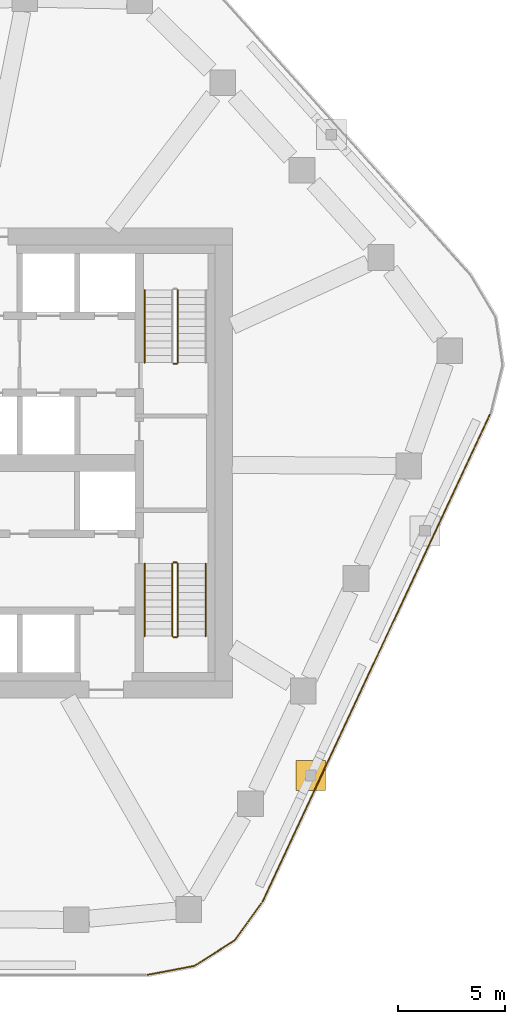
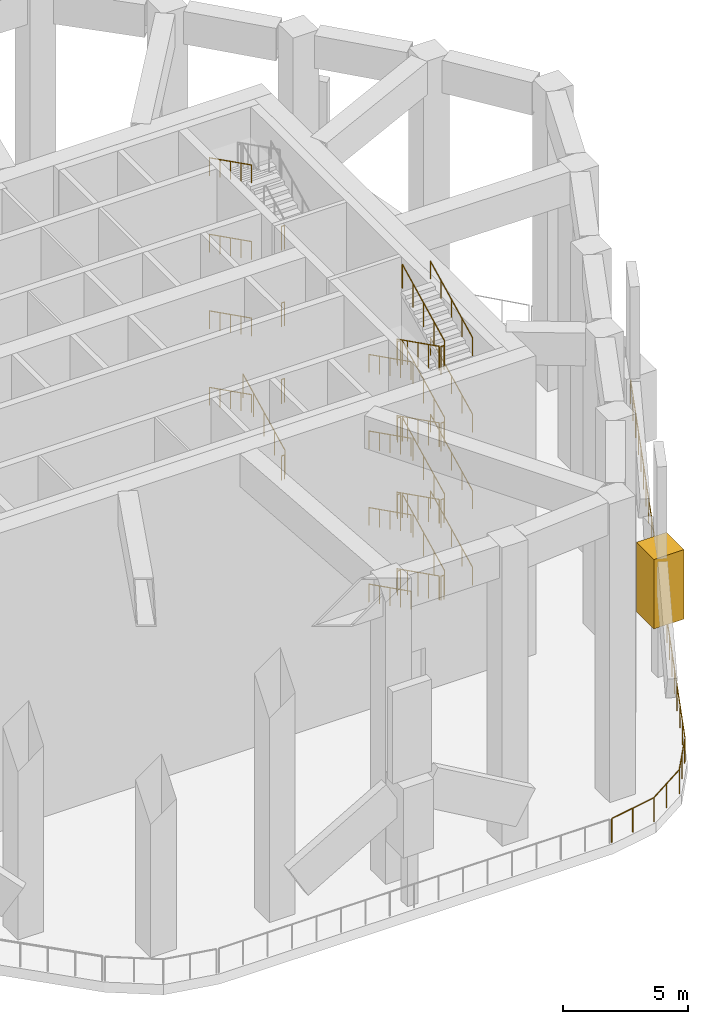
# One storey, part 9 of 12: 35 railings, 1 covering.
"""IFC4 building model written with IfcOpenShell, lengths in metres."""

from ifc_helpers import new_model, si_unit, direction, frame, origin, origin_2d, place, context, subcontext, project, spatial, rectangle, circle, extrude, material, material_profile, profile_set, type_object, element, save


model = new_model("IFC4")

# Units and contexts
model_context = context("Model", 3, precision=1e-05, world=origin(), true_north=direction((0.0, 1.0)))
body_context = subcontext(model_context, "Body", "Model", "MODEL_VIEW")
ifc_project = project(units=[si_unit("LENGTHUNIT", "METRE"), si_unit("AREAUNIT", "SQUARE_METRE"), si_unit("VOLUMEUNIT", "CUBIC_METRE"), si_unit("PLANEANGLEUNIT", "RADIAN"), si_unit("MASSUNIT", "GRAM", prefix="KILO")], contexts=[model_context])

# Site, building, storey
site_placement = place(None, origin())
site = spatial("IfcSite", under=ifc_project, at=site_placement, CompositionType="ELEMENT")
building_placement = place(site_placement, origin())
building = spatial("IfcBuilding", under=site, at=building_placement, Name="Dongbaek Canopy Tower", CompositionType="ELEMENT")
storey_placement = place(building_placement, frame((0.0, 0.0, 183.800048828125)))
storey = spatial("IfcBuildingStorey", under=building, at=storey_placement, Name="L40", CompositionType="ELEMENT", Elevation=183.800048828125)

# Railings
ifc_material_1 = material(Name="Stainless steel", Category="steel")
railing_type_1 = type_object("IfcRailingType", Name="Slot guard 1200", PredefinedType="GUARDRAIL", material=ifc_material_1)
railing_1_placement = place(storey_placement, frame((10.048583984375, -23.94091796875, 0.0)))
element("IfcRailing", 1, at=railing_1_placement, inside=storey, type_object=railing_type_1, Name="Slot guard L40 K5", PredefinedType="GUARDRAIL", context=body_context, shape_type="SweptSolid", body=[
    extrude(circle(Radius=0.02392578125, at=origin_2d()), frame((0.0, 0.0, 1.17578125), z_axis=(0.982275186739, 0.187444545176, 0.0), x_axis=(-0.187444545176, 0.982275186739, 0.0)), (0.0, 0.0, 1.0), 2.227294921875),
    extrude(circle(Radius=0.02392578125, at=origin_2d()), frame((2.187744140625, 0.41748046875, 1.17578125), z_axis=(0.843684154301, 0.536839871639, 0.0), x_axis=(-0.536839871639, 0.843684154301, 0.0)), (0.0, 0.0, 1.0), 2.217529296875),
    extrude(circle(Radius=0.02392578125, at=origin_2d()), frame((4.05859375, 1.60791015625, 1.17578125), z_axis=(0.585767076239, 0.810479446003, 0.0), x_axis=(-0.810479446003, 0.585767076239, 0.0)), (0.0, 0.0, 1.0), 2.127197265625),
    extrude(circle(Radius=0.02099609375, at=origin_2d()), origin(), (0.0, 0.0, 1.0), 1.15185546875),
    extrude(circle(Radius=0.02099609375, at=origin_2d()), frame((1.09375, 0.208740234375, 0.0)), (0.0, 0.0, 1.0), 1.15185546875),
    extrude(circle(Radius=0.02099609375, at=origin_2d()), frame((2.187744140625, 0.41748046875, 0.0)), (0.0, 0.0, 1.0), 1.15185546875),
    extrude(circle(Radius=0.02099609375, at=origin_2d()), frame((3.123046875, 1.0126953125, 0.0)), (0.0, 0.0, 1.0), 1.15185546875),
    extrude(circle(Radius=0.02099609375, at=origin_2d()), frame((4.05859375, 1.60791015625, 0.0)), (0.0, 0.0, 1.0), 1.15185546875),
    extrude(circle(Radius=0.02099609375, at=origin_2d()), frame((4.681640625, 2.469970703125, 0.0)), (0.0, 0.0, 1.0), 1.15185546875),
    extrude(circle(Radius=0.02099609375, at=origin_2d()), frame((5.3046875, 3.33203125, 0.0)), (0.0, 0.0, 1.0), 1.15185546875),
])
railing_2_placement = place(storey_placement, frame((15.411865234375, -20.52783203125, 0.0)))
element("IfcRailing", 2, at=railing_2_placement, inside=storey, type_object=railing_type_1, Name="Slot guard L40 F5", PredefinedType="GUARDRAIL", context=body_context, shape_type="SweptSolid", body=[
    extrude(circle(Radius=0.02392578125, at=origin_2d()), frame((0.0, 0.0, 1.17578125), z_axis=(0.422982147504, 0.906138015367, 0.0), x_axis=(-0.906138015367, 0.422982147504, 0.0)), (0.0, 0.0, 1.0), 25.1591796875),
    extrude(circle(Radius=0.02099609375, at=origin_2d()), origin(), (0.0, 0.0, 1.0), 1.15185546875),
    extrude(circle(Radius=0.02099609375, at=origin_2d()), frame((0.5068359375, 1.085693359375, 0.0)), (0.0, 0.0, 1.0), 1.15185546875),
    extrude(circle(Radius=0.02099609375, at=origin_2d()), frame((1.013427734375, 2.171142578125, 0.0)), (0.0, 0.0, 1.0), 1.15185546875),
    extrude(circle(Radius=0.02099609375, at=origin_2d()), frame((1.520263671875, 3.2568359375, 0.0)), (0.0, 0.0, 1.0), 1.15185546875),
    extrude(circle(Radius=0.02099609375, at=origin_2d()), frame((2.027099609375, 4.34228515625, 0.0)), (0.0, 0.0, 1.0), 1.15185546875),
    extrude(circle(Radius=0.02099609375, at=origin_2d()), frame((2.53369140625, 5.427978515625, 0.0)), (0.0, 0.0, 1.0), 1.15185546875),
    extrude(circle(Radius=0.02099609375, at=origin_2d()), frame((3.04052734375, 6.513671875, 0.0)), (0.0, 0.0, 1.0), 1.15185546875),
    extrude(circle(Radius=0.02099609375, at=origin_2d()), frame((3.54736328125, 7.59912109375, 0.0)), (0.0, 0.0, 1.0), 1.15185546875),
    extrude(circle(Radius=0.02099609375, at=origin_2d()), frame((4.053955078125, 8.684814453125, 0.0)), (0.0, 0.0, 1.0), 1.15185546875),
    extrude(circle(Radius=0.02099609375, at=origin_2d()), frame((4.560791015625, 9.7705078125, 0.0)), (0.0, 0.0, 1.0), 1.15185546875),
    extrude(circle(Radius=0.02099609375, at=origin_2d()), frame((5.067626953125, 10.85595703125, 0.0)), (0.0, 0.0, 1.0), 1.15185546875),
    extrude(circle(Radius=0.02099609375, at=origin_2d()), frame((5.57421875, 11.941650390625, 0.0)), (0.0, 0.0, 1.0), 1.15185546875),
    extrude(circle(Radius=0.02099609375, at=origin_2d()), frame((6.0810546875, 13.027099609375, 0.0)), (0.0, 0.0, 1.0), 1.15185546875),
    extrude(circle(Radius=0.02099609375, at=origin_2d()), frame((6.587890625, 14.11279296875, 0.0)), (0.0, 0.0, 1.0), 1.15185546875),
    extrude(circle(Radius=0.02099609375, at=origin_2d()), frame((7.094482421875, 15.198486328125, 0.0)), (0.0, 0.0, 1.0), 1.15185546875),
    extrude(circle(Radius=0.02099609375, at=origin_2d()), frame((7.601318359375, 16.283935546875, 0.0)), (0.0, 0.0, 1.0), 1.15185546875),
    extrude(circle(Radius=0.02099609375, at=origin_2d()), frame((8.108154296875, 17.36962890625, 0.0)), (0.0, 0.0, 1.0), 1.15185546875),
    extrude(circle(Radius=0.02099609375, at=origin_2d()), frame((8.61474609375, 18.455322265625, 0.0)), (0.0, 0.0, 1.0), 1.15185546875),
    extrude(circle(Radius=0.02099609375, at=origin_2d()), frame((9.12158203125, 19.540771484375, 0.0)), (0.0, 0.0, 1.0), 1.15185546875),
    extrude(circle(Radius=0.02099609375, at=origin_2d()), frame((9.62841796875, 20.62646484375, 0.0)), (0.0, 0.0, 1.0), 1.15185546875),
    extrude(circle(Radius=0.02099609375, at=origin_2d()), frame((10.135009765625, 21.7119140625, 0.0)), (0.0, 0.0, 1.0), 1.15185546875),
    extrude(circle(Radius=0.02099609375, at=origin_2d()), frame((10.641845703125, 22.797607421875, 0.0)), (0.0, 0.0, 1.0), 1.15185546875),
])
ifc_material_2 = material(Name="Stainless steel tube and balusters", Category="steel")
railing_type_2 = type_object("IfcRailingType", Name="Stair guard 1200", PredefinedType="GUARDRAIL", material=ifc_material_2)
railing_3_placement = place(storey_placement, frame((11.449951171875, 4.699951171875, 0.17041015625)))
element("IfcRailing", 3, at=railing_3_placement, inside=storey, type_object=railing_type_2, Name="L40 ST-A stair guard 1", PredefinedType="GUARDRAIL", context=body_context, shape_type="SweptSolid", body=[
    extrude(circle(Radius=0.02392578125, at=origin_2d()), frame((0.0, 0.0, 1.17578125), z_axis=(0.0, 0.893951692422, 0.448163331406), x_axis=(-1.0, 0.0, 0.0)), (0.0, 0.0, 1.0), 3.803466796875),
    extrude(circle(Radius=0.02099609375, at=origin_2d()), origin(), (0.0, 0.0, 1.0), 1.15185546875),
    extrude(circle(Radius=0.02099609375, at=origin_2d()), frame((0.0, 0.85009765625, 0.42626953125)), (0.0, 0.0, 1.0), 1.15185546875),
    extrude(circle(Radius=0.02099609375, at=origin_2d()), frame((0.0, 1.7001953125, 0.852294921875)), (0.0, 0.0, 1.0), 1.15185546875),
    extrude(circle(Radius=0.02099609375, at=origin_2d()), frame((0.0, 2.550048828125, 1.2783203125)), (0.0, 0.0, 1.0), 1.15185546875),
    extrude(circle(Radius=0.02099609375, at=origin_2d()), frame((0.0, 3.400146484375, 1.70458984375)), (0.0, 0.0, 1.0), 1.15185546875),
])
for number, where, name in (
    (4, (11.39990234375, 4.64990234375, 3.75), "L40 ST-A stair guard 4"),
    (5, (11.39990234375, 4.64990234375, 7.5), "L40 ST-A stair guard 8"),
    (6, (11.39990234375, 4.64990234375, 11.25), "L40 ST-A stair guard 12"),
    (7, (11.39990234375, 4.64990234375, 0.0), "L40 ST-A stair guard 16"),
):
    element("IfcRailing", number, at=place(storey_placement, frame(where)), inside=storey, type_object=railing_type_2, Name=name, PredefinedType="GUARDRAIL", context=body_context, shape_type="SweptSolid", body=[
        extrude(circle(Radius=0.02392578125, at=origin_2d()), frame((0.0, 0.0, 1.17578125), z_axis=(-1.0, 0.0, 0.0), x_axis=(0.0, -1.0, 0.0)), (0.0, 0.0, 1.0), 0.14990234375),
        extrude(circle(Radius=0.02099609375, at=origin_2d()), origin(), (0.0, 0.0, 1.0), 1.15185546875),
        extrude(circle(Radius=0.02099609375, at=origin_2d()), frame((-0.14990234375, 0.0, 0.0)), (0.0, 0.0, 1.0), 1.15185546875),
    ])
railing_4_placement = place(storey_placement, frame((11.199951171875, -4.699951171875, 0.17041015625)))
element("IfcRailing", 8, at=railing_4_placement, inside=storey, type_object=railing_type_2, Name="L40 ST-B stair guard 1", PredefinedType="GUARDRAIL", context=body_context, shape_type="SweptSolid", body=[
    extrude(circle(Radius=0.02392578125, at=origin_2d()), frame((0.0, 0.0, 1.17578125), z_axis=(0.0, -0.893951692422, 0.448163331406), x_axis=(1.0, 0.0, 0.0)), (0.0, 0.0, 1.0), 3.803466796875),
    extrude(circle(Radius=0.02099609375, at=origin_2d()), origin(), (0.0, 0.0, 1.0), 1.15185546875),
    extrude(circle(Radius=0.02099609375, at=origin_2d()), frame((0.0, -0.85009765625, 0.42626953125)), (0.0, 0.0, 1.0), 1.15185546875),
    extrude(circle(Radius=0.02099609375, at=origin_2d()), frame((0.0, -1.7001953125, 0.852294921875)), (0.0, 0.0, 1.0), 1.15185546875),
    extrude(circle(Radius=0.02099609375, at=origin_2d()), frame((0.0, -2.550048828125, 1.2783203125)), (0.0, 0.0, 1.0), 1.15185546875),
    extrude(circle(Radius=0.02099609375, at=origin_2d()), frame((0.0, -3.400146484375, 1.70458984375)), (0.0, 0.0, 1.0), 1.15185546875),
])
railing_5_placement = place(storey_placement, frame((11.25, -8.14990234375, 1.875)))
element("IfcRailing", 9, at=railing_5_placement, inside=storey, type_object=railing_type_2, Name="L40 ST-B stair guard 2", PredefinedType="GUARDRAIL", context=body_context, shape_type="SweptSolid", body=[
    extrude(circle(Radius=0.02392578125, at=origin_2d()), frame((0.0, 0.0, 1.17578125), z_axis=(1.0, 0.0, 0.0), x_axis=(0.0, 1.0, 0.0)), (0.0, 0.0, 1.0), 0.14990234375),
    extrude(circle(Radius=0.02099609375, at=origin_2d()), origin(), (0.0, 0.0, 1.0), 1.15185546875),
    extrude(circle(Radius=0.02099609375, at=origin_2d()), frame((0.14990234375, 0.0, 0.0)), (0.0, 0.0, 1.0), 1.15185546875),
])
railing_6_placement = place(storey_placement, frame((11.449951171875, -8.10009765625, 2.04541015625)))
element("IfcRailing", 10, at=railing_6_placement, inside=storey, type_object=railing_type_2, Name="L40 ST-B stair guard 3", PredefinedType="GUARDRAIL", context=body_context, shape_type="SweptSolid", body=[
    extrude(circle(Radius=0.02392578125, at=origin_2d()), frame((0.0, 0.0, 1.17578125), z_axis=(0.0, 0.893951692422, 0.448163331406), x_axis=(-1.0, 0.0, 0.0)), (0.0, 0.0, 1.0), 3.803466796875),
    extrude(circle(Radius=0.02099609375, at=origin_2d()), origin(), (0.0, 0.0, 1.0), 1.15185546875),
    extrude(circle(Radius=0.02099609375, at=origin_2d()), frame((0.0, 0.85009765625, 0.42626953125)), (0.0, 0.0, 1.0), 1.15185546875),
    extrude(circle(Radius=0.02099609375, at=origin_2d()), frame((0.0, 1.7001953125, 0.852294921875)), (0.0, 0.0, 1.0), 1.15185546875),
    extrude(circle(Radius=0.02099609375, at=origin_2d()), frame((0.0, 2.550048828125, 1.2783203125)), (0.0, 0.0, 1.0), 1.15185546875),
    extrude(circle(Radius=0.02099609375, at=origin_2d()), frame((0.0, 3.400146484375, 1.70458984375)), (0.0, 0.0, 1.0), 1.15185546875),
])
railing_7_placement = place(storey_placement, frame((11.25, -4.64990234375, 3.75)))
element("IfcRailing", 11, at=railing_7_placement, inside=storey, type_object=railing_type_2, Name="L40 ST-B stair guard 4", PredefinedType="GUARDRAIL", context=body_context, shape_type="SweptSolid", body=[
    extrude(circle(Radius=0.02392578125, at=origin_2d()), frame((0.0, 0.0, 1.17578125), z_axis=(1.0, 0.0, 0.0), x_axis=(0.0, 1.0, 0.0)), (0.0, 0.0, 1.0), 0.14990234375),
    extrude(circle(Radius=0.02099609375, at=origin_2d()), origin(), (0.0, 0.0, 1.0), 1.15185546875),
    extrude(circle(Radius=0.02099609375, at=origin_2d()), frame((0.14990234375, 0.0, 0.0)), (0.0, 0.0, 1.0), 1.15185546875),
])
railing_8_placement = place(storey_placement, frame((11.199951171875, -4.699951171875, 3.92041015625)))
element("IfcRailing", 12, at=railing_8_placement, inside=storey, type_object=railing_type_2, Name="L40 ST-B stair guard 5", PredefinedType="GUARDRAIL", context=body_context, shape_type="SweptSolid", body=[
    extrude(circle(Radius=0.02392578125, at=origin_2d()), frame((0.0, 0.0, 1.17578125), z_axis=(0.0, -0.893951692422, 0.448163331406), x_axis=(1.0, 0.0, 0.0)), (0.0, 0.0, 1.0), 3.803466796875),
    extrude(circle(Radius=0.02099609375, at=origin_2d()), origin(), (0.0, 0.0, 1.0), 1.15185546875),
    extrude(circle(Radius=0.02099609375, at=origin_2d()), frame((0.0, -0.85009765625, 0.42626953125)), (0.0, 0.0, 1.0), 1.15185546875),
    extrude(circle(Radius=0.02099609375, at=origin_2d()), frame((0.0, -1.7001953125, 0.852294921875)), (0.0, 0.0, 1.0), 1.15185546875),
    extrude(circle(Radius=0.02099609375, at=origin_2d()), frame((0.0, -2.550048828125, 1.2783203125)), (0.0, 0.0, 1.0), 1.15185546875),
    extrude(circle(Radius=0.02099609375, at=origin_2d()), frame((0.0, -3.400146484375, 1.70458984375)), (0.0, 0.0, 1.0), 1.15185546875),
])
railing_9_placement = place(storey_placement, frame((11.25, -8.14990234375, 5.625)))
element("IfcRailing", 13, at=railing_9_placement, inside=storey, type_object=railing_type_2, Name="L40 ST-B stair guard 6", PredefinedType="GUARDRAIL", context=body_context, shape_type="SweptSolid", body=[
    extrude(circle(Radius=0.02392578125, at=origin_2d()), frame((0.0, 0.0, 1.17578125), z_axis=(1.0, 0.0, 0.0), x_axis=(0.0, 1.0, 0.0)), (0.0, 0.0, 1.0), 0.14990234375),
    extrude(circle(Radius=0.02099609375, at=origin_2d()), origin(), (0.0, 0.0, 1.0), 1.15185546875),
    extrude(circle(Radius=0.02099609375, at=origin_2d()), frame((0.14990234375, 0.0, 0.0)), (0.0, 0.0, 1.0), 1.15185546875),
])
railing_10_placement = place(storey_placement, frame((11.449951171875, -8.10009765625, 5.79541015625)))
element("IfcRailing", 14, at=railing_10_placement, inside=storey, type_object=railing_type_2, Name="L40 ST-B stair guard 7", PredefinedType="GUARDRAIL", context=body_context, shape_type="SweptSolid", body=[
    extrude(circle(Radius=0.02392578125, at=origin_2d()), frame((0.0, 0.0, 1.17578125), z_axis=(0.0, 0.893951692422, 0.448163331406), x_axis=(-1.0, 0.0, 0.0)), (0.0, 0.0, 1.0), 3.803466796875),
    extrude(circle(Radius=0.02099609375, at=origin_2d()), origin(), (0.0, 0.0, 1.0), 1.15185546875),
    extrude(circle(Radius=0.02099609375, at=origin_2d()), frame((0.0, 0.85009765625, 0.42626953125)), (0.0, 0.0, 1.0), 1.15185546875),
    extrude(circle(Radius=0.02099609375, at=origin_2d()), frame((0.0, 1.7001953125, 0.852294921875)), (0.0, 0.0, 1.0), 1.15185546875),
    extrude(circle(Radius=0.02099609375, at=origin_2d()), frame((0.0, 2.550048828125, 1.2783203125)), (0.0, 0.0, 1.0), 1.15185546875),
    extrude(circle(Radius=0.02099609375, at=origin_2d()), frame((0.0, 3.400146484375, 1.70458984375)), (0.0, 0.0, 1.0), 1.15185546875),
])
railing_11_placement = place(storey_placement, frame((11.25, -4.64990234375, 7.5)))
element("IfcRailing", 15, at=railing_11_placement, inside=storey, type_object=railing_type_2, Name="L40 ST-B stair guard 8", PredefinedType="GUARDRAIL", context=body_context, shape_type="SweptSolid", body=[
    extrude(circle(Radius=0.02392578125, at=origin_2d()), frame((0.0, 0.0, 1.17578125), z_axis=(1.0, 0.0, 0.0), x_axis=(0.0, 1.0, 0.0)), (0.0, 0.0, 1.0), 0.14990234375),
    extrude(circle(Radius=0.02099609375, at=origin_2d()), origin(), (0.0, 0.0, 1.0), 1.15185546875),
    extrude(circle(Radius=0.02099609375, at=origin_2d()), frame((0.14990234375, 0.0, 0.0)), (0.0, 0.0, 1.0), 1.15185546875),
])
railing_12_placement = place(storey_placement, frame((11.199951171875, -4.699951171875, 7.67041015625)))
element("IfcRailing", 16, at=railing_12_placement, inside=storey, type_object=railing_type_2, Name="L40 ST-B stair guard 9", PredefinedType="GUARDRAIL", context=body_context, shape_type="SweptSolid", body=[
    extrude(circle(Radius=0.02392578125, at=origin_2d()), frame((0.0, 0.0, 1.17578125), z_axis=(0.0, -0.893951692422, 0.448163331406), x_axis=(1.0, 0.0, 0.0)), (0.0, 0.0, 1.0), 3.803466796875),
    extrude(circle(Radius=0.02099609375, at=origin_2d()), origin(), (0.0, 0.0, 1.0), 1.15185546875),
    extrude(circle(Radius=0.02099609375, at=origin_2d()), frame((0.0, -0.85009765625, 0.42626953125)), (0.0, 0.0, 1.0), 1.15185546875),
    extrude(circle(Radius=0.02099609375, at=origin_2d()), frame((0.0, -1.7001953125, 0.852294921875)), (0.0, 0.0, 1.0), 1.15185546875),
    extrude(circle(Radius=0.02099609375, at=origin_2d()), frame((0.0, -2.550048828125, 1.2783203125)), (0.0, 0.0, 1.0), 1.15185546875),
    extrude(circle(Radius=0.02099609375, at=origin_2d()), frame((0.0, -3.400146484375, 1.70458984375)), (0.0, 0.0, 1.0), 1.15185546875),
])
railing_13_placement = place(storey_placement, frame((11.25, -8.14990234375, 9.375)))
element("IfcRailing", 17, at=railing_13_placement, inside=storey, type_object=railing_type_2, Name="L40 ST-B stair guard 10", PredefinedType="GUARDRAIL", context=body_context, shape_type="SweptSolid", body=[
    extrude(circle(Radius=0.02392578125, at=origin_2d()), frame((0.0, 0.0, 1.17578125), z_axis=(1.0, 0.0, 0.0), x_axis=(0.0, 1.0, 0.0)), (0.0, 0.0, 1.0), 0.14990234375),
    extrude(circle(Radius=0.02099609375, at=origin_2d()), origin(), (0.0, 0.0, 1.0), 1.15185546875),
    extrude(circle(Radius=0.02099609375, at=origin_2d()), frame((0.14990234375, 0.0, 0.0)), (0.0, 0.0, 1.0), 1.15185546875),
])
railing_14_placement = place(storey_placement, frame((11.449951171875, -8.10009765625, 9.54541015625)))
element("IfcRailing", 18, at=railing_14_placement, inside=storey, type_object=railing_type_2, Name="L40 ST-B stair guard 11", PredefinedType="GUARDRAIL", context=body_context, shape_type="SweptSolid", body=[
    extrude(circle(Radius=0.02392578125, at=origin_2d()), frame((0.0, 0.0, 1.17578125), z_axis=(0.0, 0.893951692422, 0.448163331406), x_axis=(-1.0, 0.0, 0.0)), (0.0, 0.0, 1.0), 3.803466796875),
    extrude(circle(Radius=0.02099609375, at=origin_2d()), origin(), (0.0, 0.0, 1.0), 1.15185546875),
    extrude(circle(Radius=0.02099609375, at=origin_2d()), frame((0.0, 0.85009765625, 0.42626953125)), (0.0, 0.0, 1.0), 1.15185546875),
    extrude(circle(Radius=0.02099609375, at=origin_2d()), frame((0.0, 1.7001953125, 0.852294921875)), (0.0, 0.0, 1.0), 1.15185546875),
    extrude(circle(Radius=0.02099609375, at=origin_2d()), frame((0.0, 2.550048828125, 1.2783203125)), (0.0, 0.0, 1.0), 1.15185546875),
    extrude(circle(Radius=0.02099609375, at=origin_2d()), frame((0.0, 3.400146484375, 1.70458984375)), (0.0, 0.0, 1.0), 1.15185546875),
])
railing_15_placement = place(storey_placement, frame((11.25, -4.64990234375, 11.25)))
element("IfcRailing", 19, at=railing_15_placement, inside=storey, type_object=railing_type_2, Name="L40 ST-B stair guard 12", PredefinedType="GUARDRAIL", context=body_context, shape_type="SweptSolid", body=[
    extrude(circle(Radius=0.02392578125, at=origin_2d()), frame((0.0, 0.0, 1.17578125), z_axis=(1.0, 0.0, 0.0), x_axis=(0.0, 1.0, 0.0)), (0.0, 0.0, 1.0), 0.14990234375),
    extrude(circle(Radius=0.02099609375, at=origin_2d()), origin(), (0.0, 0.0, 1.0), 1.15185546875),
    extrude(circle(Radius=0.02099609375, at=origin_2d()), frame((0.14990234375, 0.0, 0.0)), (0.0, 0.0, 1.0), 1.15185546875),
])
railing_16_placement = place(storey_placement, frame((11.199951171875, -4.699951171875, 11.42041015625)))
element("IfcRailing", 20, at=railing_16_placement, inside=storey, type_object=railing_type_2, Name="L40 ST-B stair guard 13", PredefinedType="GUARDRAIL", context=body_context, shape_type="SweptSolid", body=[
    extrude(circle(Radius=0.02392578125, at=origin_2d()), frame((0.0, 0.0, 1.17578125), z_axis=(0.0, -0.893951692422, 0.448163331406), x_axis=(1.0, 0.0, 0.0)), (0.0, 0.0, 1.0), 3.803466796875),
    extrude(circle(Radius=0.02099609375, at=origin_2d()), origin(), (0.0, 0.0, 1.0), 1.15185546875),
    extrude(circle(Radius=0.02099609375, at=origin_2d()), frame((0.0, -0.85009765625, 0.42626953125)), (0.0, 0.0, 1.0), 1.15185546875),
    extrude(circle(Radius=0.02099609375, at=origin_2d()), frame((0.0, -1.7001953125, 0.852294921875)), (0.0, 0.0, 1.0), 1.15185546875),
    extrude(circle(Radius=0.02099609375, at=origin_2d()), frame((0.0, -2.550048828125, 1.2783203125)), (0.0, 0.0, 1.0), 1.15185546875),
    extrude(circle(Radius=0.02099609375, at=origin_2d()), frame((0.0, -3.400146484375, 1.70458984375)), (0.0, 0.0, 1.0), 1.15185546875),
])
railing_17_placement = place(storey_placement, frame((11.25, -8.14990234375, 13.125)))
element("IfcRailing", 21, at=railing_17_placement, inside=storey, type_object=railing_type_2, Name="L40 ST-B stair guard 14", PredefinedType="GUARDRAIL", context=body_context, shape_type="SweptSolid", body=[
    extrude(circle(Radius=0.02392578125, at=origin_2d()), frame((0.0, 0.0, 1.17578125), z_axis=(1.0, 0.0, 0.0), x_axis=(0.0, 1.0, 0.0)), (0.0, 0.0, 1.0), 0.14990234375),
    extrude(circle(Radius=0.02099609375, at=origin_2d()), origin(), (0.0, 0.0, 1.0), 1.15185546875),
    extrude(circle(Radius=0.02099609375, at=origin_2d()), frame((0.14990234375, 0.0, 0.0)), (0.0, 0.0, 1.0), 1.15185546875),
])
railing_18_placement = place(storey_placement, frame((11.449951171875, -8.10009765625, 13.29541015625)))
element("IfcRailing", 22, at=railing_18_placement, inside=storey, type_object=railing_type_2, Name="L40 ST-B stair guard 15", PredefinedType="GUARDRAIL", context=body_context, shape_type="SweptSolid", body=[
    extrude(circle(Radius=0.02392578125, at=origin_2d()), frame((0.0, 0.0, 1.17578125), z_axis=(0.0, 0.893951692422, 0.448163331406), x_axis=(-1.0, 0.0, 0.0)), (0.0, 0.0, 1.0), 3.803466796875),
    extrude(circle(Radius=0.02099609375, at=origin_2d()), origin(), (0.0, 0.0, 1.0), 1.15185546875),
    extrude(circle(Radius=0.02099609375, at=origin_2d()), frame((0.0, 0.85009765625, 0.42626953125)), (0.0, 0.0, 1.0), 1.15185546875),
    extrude(circle(Radius=0.02099609375, at=origin_2d()), frame((0.0, 1.7001953125, 0.852294921875)), (0.0, 0.0, 1.0), 1.15185546875),
    extrude(circle(Radius=0.02099609375, at=origin_2d()), frame((0.0, 2.550048828125, 1.2783203125)), (0.0, 0.0, 1.0), 1.15185546875),
    extrude(circle(Radius=0.02099609375, at=origin_2d()), frame((0.0, 3.400146484375, 1.70458984375)), (0.0, 0.0, 1.0), 1.15185546875),
])
railing_19_placement = place(storey_placement, frame((11.25, -4.64990234375, 0.0)))
element("IfcRailing", 23, at=railing_19_placement, inside=storey, type_object=railing_type_2, Name="L40 ST-B stair guard 16", PredefinedType="GUARDRAIL", context=body_context, shape_type="SweptSolid", body=[
    extrude(circle(Radius=0.02392578125, at=origin_2d()), frame((0.0, 0.0, 1.17578125), z_axis=(1.0, 0.0, 0.0), x_axis=(0.0, 1.0, 0.0)), (0.0, 0.0, 1.0), 0.14990234375),
    extrude(circle(Radius=0.02099609375, at=origin_2d()), origin(), (0.0, 0.0, 1.0), 1.15185546875),
    extrude(circle(Radius=0.02099609375, at=origin_2d()), frame((0.14990234375, 0.0, 0.0)), (0.0, 0.0, 1.0), 1.15185546875),
])
ifc_material_3 = material(Name="Stainless steel tube", Category="steel")
railing_type_3 = type_object("IfcRailingType", Name="Stair handrail 900", PredefinedType="HANDRAIL", material=ifc_material_3)
for number, where, name in (
    (24, (9.89990234375, 8.10009765625, 2.04541015625), "L40 ST-A stair handrail 2"),
    (25, (9.89990234375, 8.10009765625, 5.79541015625), "L40 ST-A stair handrail 4"),
    (26, (9.89990234375, 8.10009765625, 9.54541015625), "L40 ST-A stair handrail 6"),
    (27, (9.89990234375, 8.10009765625, 13.29541015625), "L40 ST-A stair handrail 8"),
    (28, (9.89990234375, -4.699951171875, 0.17041015625), "L40 ST-B stair handrail 1"),
):
    element("IfcRailing", number, at=place(storey_placement, frame(where)), inside=storey, type_object=railing_type_3, Name=name, PredefinedType="HANDRAIL", context=body_context, shape_type="SweptSolid", body=[
        extrude(circle(Radius=0.02392578125, at=origin_2d()), frame((0.0, 0.0, 0.8759765625), z_axis=(0.0, -0.893951692422, 0.448163331406), x_axis=(1.0, 0.0, 0.0)), (0.0, 0.0, 1.0), 3.803466796875),
        extrude(circle(Radius=0.02099609375, at=origin_2d()), origin(), (0.0, 0.0, 1.0), 0.851806640625),
        extrude(circle(Radius=0.02099609375, at=origin_2d()), frame((0.0, -0.85009765625, 0.42626953125)), (0.0, 0.0, 1.0), 0.851806640625),
        extrude(circle(Radius=0.02099609375, at=origin_2d()), frame((0.0, -1.7001953125, 0.852294921875)), (0.0, 0.0, 1.0), 0.851806640625),
        extrude(circle(Radius=0.02099609375, at=origin_2d()), frame((0.0, -2.550048828125, 1.2783203125)), (0.0, 0.0, 1.0), 0.851806640625),
        extrude(circle(Radius=0.02099609375, at=origin_2d()), frame((0.0, -3.400146484375, 1.70458984375)), (0.0, 0.0, 1.0), 0.851806640625),
    ])
railing_20_placement = place(storey_placement, frame((12.75, -8.10009765625, 2.04541015625)))
element("IfcRailing", 29, at=railing_20_placement, inside=storey, type_object=railing_type_3, Name="L40 ST-B stair handrail 2", PredefinedType="HANDRAIL", context=body_context, shape_type="SweptSolid", body=[
    extrude(circle(Radius=0.02392578125, at=origin_2d()), frame((0.0, 0.0, 0.8759765625), z_axis=(0.0, 0.893951692422, 0.448163331406), x_axis=(-1.0, 0.0, 0.0)), (0.0, 0.0, 1.0), 3.803466796875),
    extrude(circle(Radius=0.02099609375, at=origin_2d()), origin(), (0.0, 0.0, 1.0), 0.851806640625),
    extrude(circle(Radius=0.02099609375, at=origin_2d()), frame((0.0, 0.85009765625, 0.42626953125)), (0.0, 0.0, 1.0), 0.851806640625),
    extrude(circle(Radius=0.02099609375, at=origin_2d()), frame((0.0, 1.7001953125, 0.852294921875)), (0.0, 0.0, 1.0), 0.851806640625),
    extrude(circle(Radius=0.02099609375, at=origin_2d()), frame((0.0, 2.550048828125, 1.2783203125)), (0.0, 0.0, 1.0), 0.851806640625),
    extrude(circle(Radius=0.02099609375, at=origin_2d()), frame((0.0, 3.400146484375, 1.70458984375)), (0.0, 0.0, 1.0), 0.851806640625),
])
railing_21_placement = place(storey_placement, frame((9.89990234375, -4.699951171875, 3.92041015625)))
element("IfcRailing", 30, at=railing_21_placement, inside=storey, type_object=railing_type_3, Name="L40 ST-B stair handrail 3", PredefinedType="HANDRAIL", context=body_context, shape_type="SweptSolid", body=[
    extrude(circle(Radius=0.02392578125, at=origin_2d()), frame((0.0, 0.0, 0.8759765625), z_axis=(0.0, -0.893951692422, 0.448163331406), x_axis=(1.0, 0.0, 0.0)), (0.0, 0.0, 1.0), 3.803466796875),
    extrude(circle(Radius=0.02099609375, at=origin_2d()), origin(), (0.0, 0.0, 1.0), 0.851806640625),
    extrude(circle(Radius=0.02099609375, at=origin_2d()), frame((0.0, -0.85009765625, 0.42626953125)), (0.0, 0.0, 1.0), 0.851806640625),
    extrude(circle(Radius=0.02099609375, at=origin_2d()), frame((0.0, -1.7001953125, 0.852294921875)), (0.0, 0.0, 1.0), 0.851806640625),
    extrude(circle(Radius=0.02099609375, at=origin_2d()), frame((0.0, -2.550048828125, 1.2783203125)), (0.0, 0.0, 1.0), 0.851806640625),
    extrude(circle(Radius=0.02099609375, at=origin_2d()), frame((0.0, -3.400146484375, 1.70458984375)), (0.0, 0.0, 1.0), 0.851806640625),
])
railing_22_placement = place(storey_placement, frame((12.75, -8.10009765625, 5.79541015625)))
element("IfcRailing", 31, at=railing_22_placement, inside=storey, type_object=railing_type_3, Name="L40 ST-B stair handrail 4", PredefinedType="HANDRAIL", context=body_context, shape_type="SweptSolid", body=[
    extrude(circle(Radius=0.02392578125, at=origin_2d()), frame((0.0, 0.0, 0.8759765625), z_axis=(0.0, 0.893951692422, 0.448163331406), x_axis=(-1.0, 0.0, 0.0)), (0.0, 0.0, 1.0), 3.803466796875),
    extrude(circle(Radius=0.02099609375, at=origin_2d()), origin(), (0.0, 0.0, 1.0), 0.851806640625),
    extrude(circle(Radius=0.02099609375, at=origin_2d()), frame((0.0, 0.85009765625, 0.42626953125)), (0.0, 0.0, 1.0), 0.851806640625),
    extrude(circle(Radius=0.02099609375, at=origin_2d()), frame((0.0, 1.7001953125, 0.852294921875)), (0.0, 0.0, 1.0), 0.851806640625),
    extrude(circle(Radius=0.02099609375, at=origin_2d()), frame((0.0, 2.550048828125, 1.2783203125)), (0.0, 0.0, 1.0), 0.851806640625),
    extrude(circle(Radius=0.02099609375, at=origin_2d()), frame((0.0, 3.400146484375, 1.70458984375)), (0.0, 0.0, 1.0), 0.851806640625),
])
railing_23_placement = place(storey_placement, frame((9.89990234375, -4.699951171875, 7.67041015625)))
element("IfcRailing", 32, at=railing_23_placement, inside=storey, type_object=railing_type_3, Name="L40 ST-B stair handrail 5", PredefinedType="HANDRAIL", context=body_context, shape_type="SweptSolid", body=[
    extrude(circle(Radius=0.02392578125, at=origin_2d()), frame((0.0, 0.0, 0.8759765625), z_axis=(0.0, -0.893951692422, 0.448163331406), x_axis=(1.0, 0.0, 0.0)), (0.0, 0.0, 1.0), 3.803466796875),
    extrude(circle(Radius=0.02099609375, at=origin_2d()), origin(), (0.0, 0.0, 1.0), 0.851806640625),
    extrude(circle(Radius=0.02099609375, at=origin_2d()), frame((0.0, -0.85009765625, 0.42626953125)), (0.0, 0.0, 1.0), 0.851806640625),
    extrude(circle(Radius=0.02099609375, at=origin_2d()), frame((0.0, -1.7001953125, 0.852294921875)), (0.0, 0.0, 1.0), 0.851806640625),
    extrude(circle(Radius=0.02099609375, at=origin_2d()), frame((0.0, -2.550048828125, 1.2783203125)), (0.0, 0.0, 1.0), 0.851806640625),
    extrude(circle(Radius=0.02099609375, at=origin_2d()), frame((0.0, -3.400146484375, 1.70458984375)), (0.0, 0.0, 1.0), 0.851806640625),
])
railing_24_placement = place(storey_placement, frame((12.75, -8.10009765625, 9.54541015625)))
element("IfcRailing", 33, at=railing_24_placement, inside=storey, type_object=railing_type_3, Name="L40 ST-B stair handrail 6", PredefinedType="HANDRAIL", context=body_context, shape_type="SweptSolid", body=[
    extrude(circle(Radius=0.02392578125, at=origin_2d()), frame((0.0, 0.0, 0.8759765625), z_axis=(0.0, 0.893951692422, 0.448163331406), x_axis=(-1.0, 0.0, 0.0)), (0.0, 0.0, 1.0), 3.803466796875),
    extrude(circle(Radius=0.02099609375, at=origin_2d()), origin(), (0.0, 0.0, 1.0), 0.851806640625),
    extrude(circle(Radius=0.02099609375, at=origin_2d()), frame((0.0, 0.85009765625, 0.42626953125)), (0.0, 0.0, 1.0), 0.851806640625),
    extrude(circle(Radius=0.02099609375, at=origin_2d()), frame((0.0, 1.7001953125, 0.852294921875)), (0.0, 0.0, 1.0), 0.851806640625),
    extrude(circle(Radius=0.02099609375, at=origin_2d()), frame((0.0, 2.550048828125, 1.2783203125)), (0.0, 0.0, 1.0), 0.851806640625),
    extrude(circle(Radius=0.02099609375, at=origin_2d()), frame((0.0, 3.400146484375, 1.70458984375)), (0.0, 0.0, 1.0), 0.851806640625),
])
railing_25_placement = place(storey_placement, frame((9.89990234375, -4.699951171875, 11.42041015625)))
element("IfcRailing", 34, at=railing_25_placement, inside=storey, type_object=railing_type_3, Name="L40 ST-B stair handrail 7", PredefinedType="HANDRAIL", context=body_context, shape_type="SweptSolid", body=[
    extrude(circle(Radius=0.02392578125, at=origin_2d()), frame((0.0, 0.0, 0.8759765625), z_axis=(0.0, -0.893951692422, 0.448163331406), x_axis=(1.0, 0.0, 0.0)), (0.0, 0.0, 1.0), 3.803466796875),
    extrude(circle(Radius=0.02099609375, at=origin_2d()), origin(), (0.0, 0.0, 1.0), 0.851806640625),
    extrude(circle(Radius=0.02099609375, at=origin_2d()), frame((0.0, -0.85009765625, 0.42626953125)), (0.0, 0.0, 1.0), 0.851806640625),
    extrude(circle(Radius=0.02099609375, at=origin_2d()), frame((0.0, -1.7001953125, 0.852294921875)), (0.0, 0.0, 1.0), 0.851806640625),
    extrude(circle(Radius=0.02099609375, at=origin_2d()), frame((0.0, -2.550048828125, 1.2783203125)), (0.0, 0.0, 1.0), 0.851806640625),
    extrude(circle(Radius=0.02099609375, at=origin_2d()), frame((0.0, -3.400146484375, 1.70458984375)), (0.0, 0.0, 1.0), 0.851806640625),
])
railing_26_placement = place(storey_placement, frame((12.75, -8.10009765625, 13.29541015625)))
element("IfcRailing", 35, at=railing_26_placement, inside=storey, type_object=railing_type_3, Name="L40 ST-B stair handrail 8", PredefinedType="HANDRAIL", context=body_context, shape_type="SweptSolid", body=[
    extrude(circle(Radius=0.02392578125, at=origin_2d()), frame((0.0, 0.0, 0.8759765625), z_axis=(0.0, 0.893951692422, 0.448163331406), x_axis=(-1.0, 0.0, 0.0)), (0.0, 0.0, 1.0), 3.803466796875),
    extrude(circle(Radius=0.02099609375, at=origin_2d()), origin(), (0.0, 0.0, 1.0), 0.851806640625),
    extrude(circle(Radius=0.02099609375, at=origin_2d()), frame((0.0, 0.85009765625, 0.42626953125)), (0.0, 0.0, 1.0), 0.851806640625),
    extrude(circle(Radius=0.02099609375, at=origin_2d()), frame((0.0, 1.7001953125, 0.852294921875)), (0.0, 0.0, 1.0), 0.851806640625),
    extrude(circle(Radius=0.02099609375, at=origin_2d()), frame((0.0, 2.550048828125, 1.2783203125)), (0.0, 0.0, 1.0), 0.851806640625),
    extrude(circle(Radius=0.02099609375, at=origin_2d()), frame((0.0, 3.400146484375, 1.70458984375)), (0.0, 0.0, 1.0), 0.851806640625),
])

# Covering
ifc_material_4 = material(Name="Aluminium 6063-T6 pale metal turbine rotor", Category="aluminium")
ifc_material_profile = material_profile(ifc_material_4, rectangle(XDim=1.39990234375, YDim=1.39990234375, at=origin_2d()), Name="Turbine hub 1400")
ifc_profile_set = profile_set([ifc_material_profile], Name="Aluminium 6063-T6 pale metal turbine rotor")
covering_type = type_object("IfcCoveringType", Name="Turbine hub 1400", PredefinedType="CLADDING", material=ifc_profile_set)
covering_placement = place(storey_placement, frame((17.673095703125, -14.61962890625, 2.807861328125), z_axis=(0.0, 0.0, 1.0), x_axis=(1.0, 0.0, 0.0)))
element("IfcCovering", 36, at=covering_placement, inside=storey, type_object=covering_type, Name="Turbine 7 hub", PredefinedType="CLADDING", context=body_context, shape_type="SweptSolid", body=[
    extrude(rectangle(XDim=1.39990234375, YDim=1.39990234375, at=origin_2d()), origin(), (0.0, 0.0, 1.0), 3.400146484375),
])

save(model, "model.ifc")
